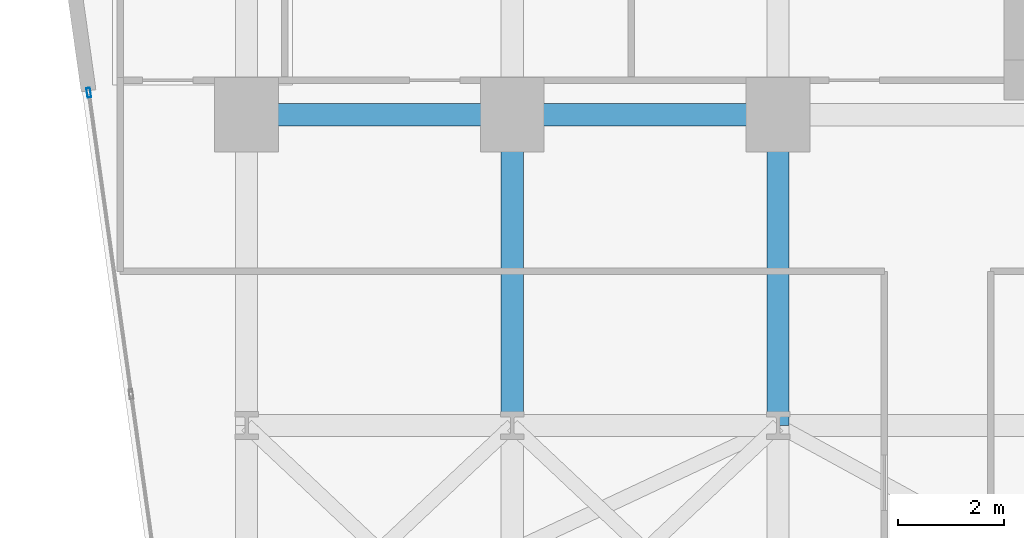
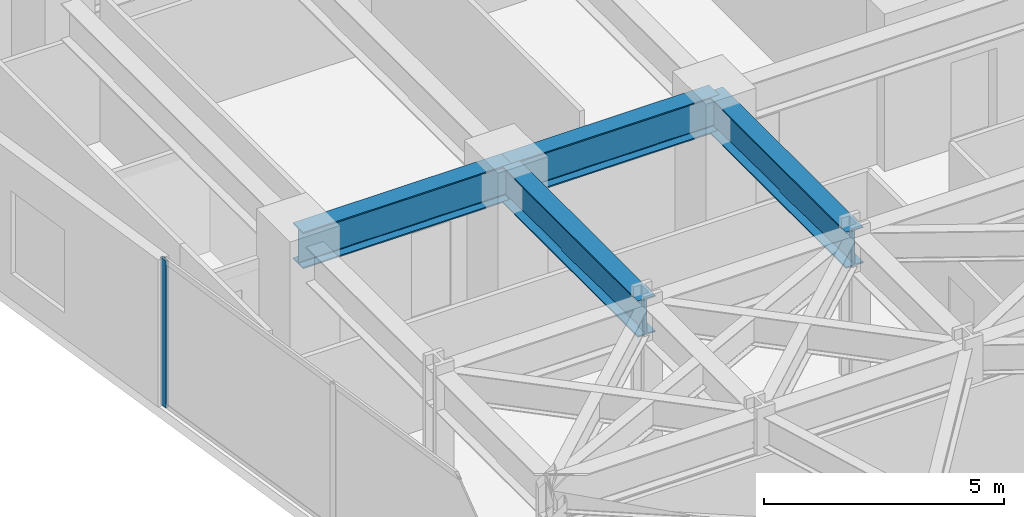
# One storey, part 17 of 25: 4 beams, 1 member, 1 element without a shape of its own.
"""IFC4 building model written with IfcOpenShell, lengths in metres."""

from ifc_helpers import new_model, si_unit, direction, frame, origin, origin_2d, place, context, subcontext, project, spatial, hollow_rectangle, i_section, extrude, material, layer, layer_set, material_profile, profile_set, type_object, element, aggregate, save


model = new_model("IFC4")

# Units and contexts
model_context = context("Model", 3, precision=1e-05, world=origin(), true_north=direction((0.0, 1.0)))
body_context = subcontext(model_context, "Body", "Model", "MODEL_VIEW")
ifc_project = project(units=[si_unit("LENGTHUNIT", "METRE"), si_unit("AREAUNIT", "SQUARE_METRE"), si_unit("VOLUMEUNIT", "CUBIC_METRE"), si_unit("PLANEANGLEUNIT", "RADIAN"), si_unit("MASSUNIT", "GRAM", prefix="KILO")], contexts=[model_context])

# Site, building, storey
site_placement = place(None, origin())
site = spatial("IfcSite", under=ifc_project, at=site_placement, CompositionType="ELEMENT")
building_placement = place(site_placement, origin())
building = spatial("IfcBuilding", under=site, at=building_placement, Name="Kravanh Interchange Tower", CompositionType="ELEMENT")
storey_placement = place(building_placement, frame((0.0, 0.0, 33.5)))
storey = spatial("IfcBuildingStorey", under=building, at=storey_placement, Name="L07", CompositionType="ELEMENT", Elevation=33.5)

# Curtain wall, member
ifc_material_1 = material(Name="Anodised Bronze Aluminium", Category="aluminium")
ifc_layer = layer(ifc_material_1, 0.179931640625)
ifc_layer_set = layer_set([ifc_layer], Name="Unitised Curtain Wall System CW-Z1 Lower Office")
curtain_wall_type = type_object("IfcCurtainWallType", Name="Unitised Curtain Wall System CW-Z1 Lower Office", PredefinedType="NOTDEFINED", material=ifc_layer_set)
curtain_wall_placement = place(storey_placement, origin())
curtain_wall = element("IfcCurtainWall", 1, at=curtain_wall_placement, inside=storey, type_object=curtain_wall_type, Name="L07 Unitised Curtain Wall CW-L07-01", PredefinedType="NOTDEFINED")
ifc_material_2 = material(Name="Anodised Bronze Aluminium", Category="aluminium")
ifc_material_profile_1 = material_profile(ifc_material_2, hollow_rectangle(XDim=0.070068359375, YDim=0.179931640625, WallThickness=0.00390625, at=origin_2d()), Name="ALU70X180X4")
ifc_profile_set_1 = profile_set([ifc_material_profile_1], Name="Anodised Bronze Aluminium")
member_type = type_object("IfcMemberType", Name="Curtain Wall Mullion ALU70X180X4 Bronze", PredefinedType="MULLION", material=ifc_profile_set_1)
member_placement = place(storey_placement, frame((5.6298828125, 37.765380859375, 0.0), z_axis=(0.0, 0.0, 1.0), x_axis=(-0.990267585682, -0.139176538065, 0.0)))
member = element("IfcMember", 2, at=member_placement, type_object=member_type, Name="CW-Z1 mullion 7", PredefinedType="MULLION", context=body_context, shape_type="SweptSolid", body=[
    extrude(hollow_rectangle(XDim=0.070068359375, YDim=0.179931640625, WallThickness=0.00390625, at=origin_2d()), origin(), (0.0, 0.0, 1.0), 3.739990234375),
])
aggregate(curtain_wall, [member])

# Beams
ifc_material_3 = material(Name="Structural Steel S355", Category="steel")
ifc_material_profile_2 = material_profile(ifc_material_3, i_section(OverallWidth=0.41796875, OverallDepth=0.927001953125, WebThickness=0.019287109375, FlangeThickness=0.031982421875, FilletRadius=0.028076171875, at=origin_2d()), Name="W36X231")
ifc_profile_set_2 = profile_set([ifc_material_profile_2], Name="Structural Steel S355")
beam_type = type_object("IfcBeamType", Name="Floor Beam W36X231 Structural Steel S355", PredefinedType="BEAM", material=ifc_profile_set_2)
beam_1_placement = place(storey_placement, frame((18.60009765625, 37.35009765625, 3.276611328125), z_axis=(-1.0, 0.0, 0.0), x_axis=(0.0, -1.0, 0.0)))
element("IfcBeam", 3, at=beam_1_placement, inside=storey, type_object=beam_type, Name="L07 Primary Floor Girder 28", PredefinedType="BEAM", context=body_context, shape_type="SweptSolid", body=[
    extrude(i_section(OverallWidth=0.41796875, OverallDepth=0.927001953125, WebThickness=0.019287109375, FlangeThickness=0.031982421875, FilletRadius=0.028076171875, at=origin_2d()), origin(), (0.0, 0.0, 1.0), 5.0),
])
beam_2_placement = place(storey_placement, frame((18.60009765625, 37.35009765625, 3.276611328125), z_axis=(0.0, -1.0, 0.0), x_axis=(1.0, 0.0, 0.0)))
element("IfcBeam", 4, at=beam_2_placement, inside=storey, type_object=beam_type, Name="L07 Primary Floor Girder 29", PredefinedType="BEAM", context=body_context, shape_type="SweptSolid", body=[
    extrude(i_section(OverallWidth=0.41796875, OverallDepth=0.927001953125, WebThickness=0.019287109375, FlangeThickness=0.031982421875, FilletRadius=0.028076171875, at=origin_2d()), origin(), (0.0, 0.0, 1.0), 5.85009765625),
])
beam_3_placement = place(storey_placement, frame((13.60009765625, 37.35009765625, 3.276611328125), z_axis=(-1.0, 0.0, 0.0), x_axis=(0.0, -1.0, 0.0)))
element("IfcBeam", 5, at=beam_3_placement, inside=storey, type_object=beam_type, Name="L07 Primary Floor Girder 32", PredefinedType="BEAM", context=body_context, shape_type="SweptSolid", body=[
    extrude(i_section(OverallWidth=0.41796875, OverallDepth=0.927001953125, WebThickness=0.019287109375, FlangeThickness=0.031982421875, FilletRadius=0.028076171875, at=origin_2d()), origin(), (0.0, 0.0, 1.0), 5.0),
])
beam_4_placement = place(storey_placement, frame((13.60009765625, 37.35009765625, 3.276611328125), z_axis=(0.0, -1.0, 0.0), x_axis=(1.0, 0.0, 0.0)))
element("IfcBeam", 6, at=beam_4_placement, inside=storey, type_object=beam_type, Name="L07 Primary Floor Girder 33", PredefinedType="BEAM", context=body_context, shape_type="SweptSolid", body=[
    extrude(i_section(OverallWidth=0.41796875, OverallDepth=0.927001953125, WebThickness=0.019287109375, FlangeThickness=0.031982421875, FilletRadius=0.028076171875, at=origin_2d()), origin(), (0.0, 0.0, 1.0), 5.85009765625),
])

save(model, "model.ifc")
